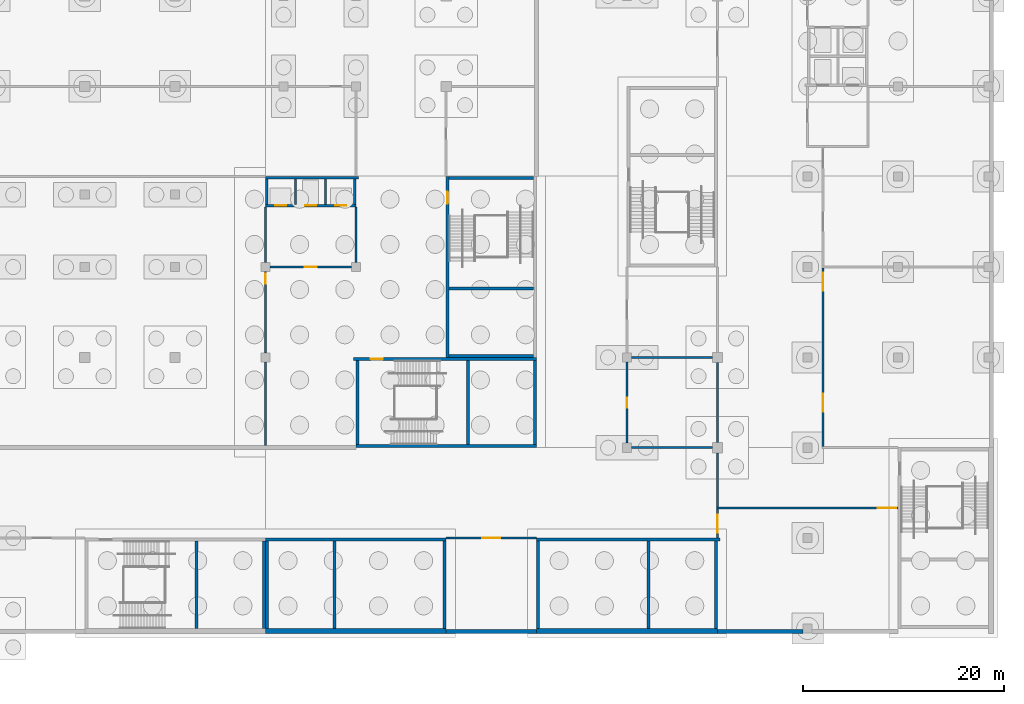
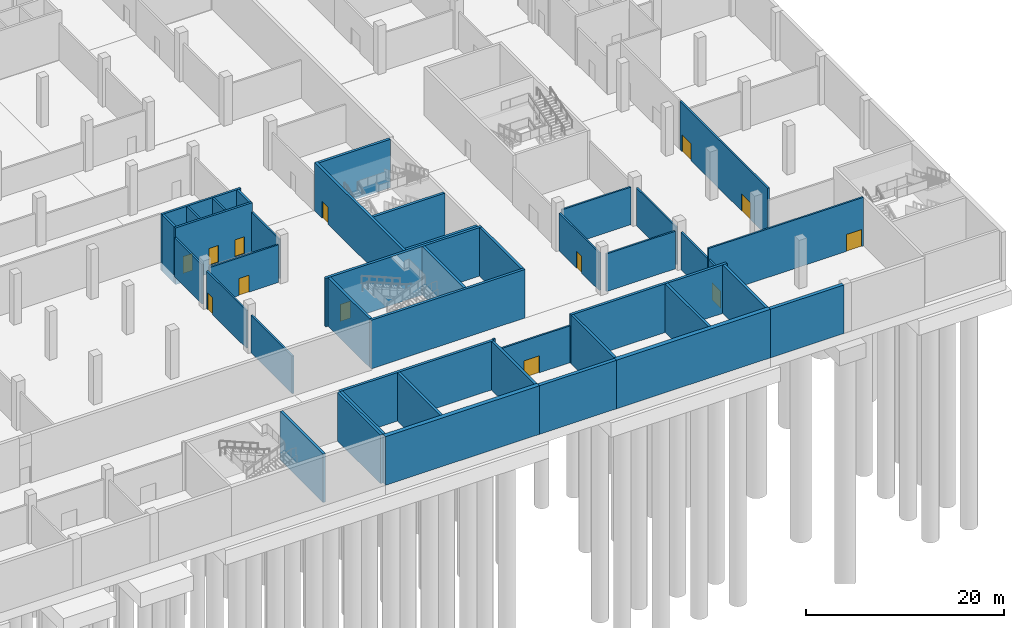
# One storey, part 17 of 42: 44 walls, 13 doors, 13 openings.
"""IFC4 building model written with IfcOpenShell, lengths in metres."""

from ifc_helpers import new_model, si_unit, direction, frame, frame_2d, origin, place, context, subcontext, project, spatial, rectangle, extrude, material, layer, layer_set, type_object, element, fill, save


model = new_model("IFC4")

# Units and contexts
model_context = context("Model", 3, precision=1e-05, world=origin(), true_north=direction((0.0, 1.0)))
body_context = subcontext(model_context, "Body", "Model", "MODEL_VIEW")
ifc_project = project(units=[si_unit("LENGTHUNIT", "METRE"), si_unit("AREAUNIT", "SQUARE_METRE"), si_unit("VOLUMEUNIT", "CUBIC_METRE"), si_unit("PLANEANGLEUNIT", "RADIAN"), si_unit("MASSUNIT", "GRAM", prefix="KILO")], contexts=[model_context])

# Site, building, storey
site_placement = place(None, origin())
site = spatial("IfcSite", under=ifc_project, at=site_placement, CompositionType="ELEMENT")
building_placement = place(site_placement, origin())
building = spatial("IfcBuilding", under=site, at=building_placement, Name="Silverbay Arena", CompositionType="ELEMENT")
storey_placement = place(building_placement, frame((0.0, 0.0, -6.0)))
storey = spatial("IfcBuildingStorey", under=building, at=storey_placement, Name="B1", CompositionType="ELEMENT", Elevation=-6.0)

# Walls
ifc_material_1 = material(Name="Concrete Grade C45", Category="concrete")
ifc_layer_1 = layer(ifc_material_1, 0.39990234375)
ifc_layer_set_1 = layer_set([ifc_layer_1], Name="Concrete Grade C45")
wall_type_1 = type_object("IfcWallType", Name="Basement perimeter wall 400", PredefinedType="SOLIDWALL", material=ifc_layer_set_1)
wall_1_placement = place(storey_placement, frame((180.0, 17.699951171875, 0.0), z_axis=(0.0, 0.0, 1.0), x_axis=(1.0, 0.0, 0.0)))
element("IfcWall", 1, at=wall_1_placement, inside=storey, type_object=wall_type_1, Name="South external wall B1 bay 18", PredefinedType="SOLIDWALL", context=body_context, shape_type="SweptSolid", body=[
    extrude(rectangle(XDim=9.0, YDim=0.39990234375, at=frame_2d((4.5, 0.0))), origin(), (0.0, 0.0, 1.0), 6.0),
])
wall_2_placement = place(storey_placement, frame((207.0, 17.699951171875, 0.0), z_axis=(0.0, 0.0, 1.0), x_axis=(1.0, 0.0, 0.0)))
element("IfcWall", 2, at=wall_2_placement, inside=storey, type_object=wall_type_1, Name="South external wall B1 bay 21", PredefinedType="SOLIDWALL", context=body_context, shape_type="SweptSolid", body=[
    extrude(rectangle(XDim=8.550048828125, YDim=0.39990234375, at=frame_2d((4.27490234375, 0.0))), origin(), (0.0, 0.0, 1.0), 6.0),
])
ifc_material_2 = material(Name="Concrete Grade C45", Category="concrete")
ifc_layer_2 = layer(ifc_material_2, 0.300048828125)
ifc_layer_set_2 = layer_set([ifc_layer_2], Name="Concrete Grade C45")
wall_type_2 = type_object("IfcWallType", Name="Core wall RC 300 EI 240", PredefinedType="SHEAR", material=ifc_layer_set_2)
for number, where, z_axis, x_axis, name in (
    (3, (161.85009765625, 26.699951171875, 0.0), (0.0, 0.0, 1.0), (0.0, -1.0, 0.0), "Core wall ST-S3 B1 end 2"),
    (4, (155.14990234375, 26.699951171875, 0.0), (0.0, 0.0, 1.0), (0.0, -1.0, 0.0), "Core wall ST-S3 B1 stair enclosure"),
):
    element("IfcWall", number, at=place(storey_placement, frame(where, z_axis=z_axis, x_axis=x_axis)), inside=storey, type_object=wall_type_2, Name=name, PredefinedType="SHEAR", context=body_context, shape_type="SweptSolid", body=[
        extrude(rectangle(XDim=8.699951171875, YDim=0.300048828125, at=frame_2d((4.35009765625, 0.0))), origin(), (0.0, 0.0, 1.0), 6.0),
    ])
wall_3_placement = place(storey_placement, frame((180.0, 26.85009765625, 0.0), z_axis=(0.0, 0.0, 1.0), x_axis=(-1.0, 0.0, 0.0)))
element("IfcWall", 5, at=wall_3_placement, inside=storey, type_object=wall_type_2, Name="Core wall ST-S4 B1 door side", PredefinedType="SHEAR", context=body_context, shape_type="SweptSolid", body=[
    extrude(rectangle(XDim=18.0, YDim=0.300048828125, at=frame_2d((9.0, 0.0))), origin(), (0.0, 0.0, 1.0), 6.0),
])
for number, where, z_axis, x_axis, name in (
    (6, (179.85009765625, 26.699951171875, 0.0), (0.0, 0.0, 1.0), (0.0, -1.0, 0.0), "Core wall ST-S4 B1 end 1"),
    (7, (162.14990234375, 26.699951171875, 0.0), (0.0, 0.0, 1.0), (0.0, -1.0, 0.0), "Core wall ST-S4 B1 end 2"),
    (8, (168.85009765625, 26.699951171875, 0.0), (0.0, 0.0, 1.0), (0.0, -1.0, 0.0), "Core wall ST-S4 B1 stair enclosure"),
):
    element("IfcWall", number, at=place(storey_placement, frame(where, z_axis=z_axis, x_axis=x_axis)), inside=storey, type_object=wall_type_2, Name=name, PredefinedType="SHEAR", context=body_context, shape_type="SweptSolid", body=[
        extrude(rectangle(XDim=8.699951171875, YDim=0.300048828125, at=frame_2d((4.35009765625, 0.0))), origin(), (0.0, 0.0, 1.0), 6.0),
    ])
wall_4_placement = place(storey_placement, frame((189.0, 26.85009765625, 0.0), z_axis=(0.0, 0.0, 1.0), x_axis=(1.0, 0.0, 0.0)))
element("IfcWall", 9, at=wall_4_placement, inside=storey, type_object=wall_type_2, Name="Core wall ST-S6 B1 door side", PredefinedType="SHEAR", context=body_context, shape_type="SweptSolid", body=[
    extrude(rectangle(XDim=18.25, YDim=0.300048828125, at=frame_2d((9.125, 0.0))), origin(), (0.0, 0.0, 1.0), 6.0),
])
for number, where, z_axis, x_axis, name in (
    (10, (189.14990234375, 26.699951171875, 0.0), (0.0, 0.0, 1.0), (0.0, -1.0, 0.0), "Core wall ST-S6 B1 end 1"),
    (11, (206.85009765625, 26.699951171875, 0.0), (0.0, 0.0, 1.0), (0.0, -1.0, 0.0), "Core wall ST-S6 B1 end 2"),
    (12, (200.14990234375, 26.699951171875, 0.0), (0.0, 0.0, 1.0), (0.0, -1.0, 0.0), "Core wall ST-S6 B1 stair enclosure"),
):
    element("IfcWall", number, at=place(storey_placement, frame(where, z_axis=z_axis, x_axis=x_axis)), inside=storey, type_object=wall_type_2, Name=name, PredefinedType="SHEAR", context=body_context, shape_type="SweptSolid", body=[
        extrude(rectangle(XDim=8.699951171875, YDim=0.300048828125, at=frame_2d((4.35009765625, 0.0))), origin(), (0.0, 0.0, 1.0), 6.0),
    ])

# Wall, opening, door
wall_5_placement = place(storey_placement, frame((170.75, 44.85009765625, 0.0), z_axis=(0.0, 0.0, 1.0), x_axis=(1.0, 0.0, 0.0)))
wall_5 = element("IfcWall", 13, at=wall_5_placement, inside=storey, type_object=wall_type_2, Name="Core wall ST-SE1 B1 door side", PredefinedType="SHEAR", context=body_context, shape_type="SweptSolid", body=[
    extrude(rectangle(XDim=18.25, YDim=0.300048828125, at=frame_2d((9.125, 0.0))), origin(), (0.0, 0.0, 1.0), 6.0),
])
opening_1_placement = place(wall_5_placement, frame((1.75, 0.0, 0.0)))
opening_1 = element("IfcOpeningElement", 14, at=opening_1_placement, cuts=wall_5, Name="Opening B1-090", PredefinedType="OPENING", context=body_context, shape_type="SweptSolid", body=[
    extrude(rectangle(XDim=1.199951171875, YDim=2.10009765625, at=frame_2d((0.60009765625, 1.050048828125))), frame((0.0, 0.16015625, 0.0), z_axis=(0.0, -1.0, 0.0), x_axis=(1.0, 0.0, 0.0)), (0.0, 0.0, 1.0), 0.320068359375),
])
ifc_material_3 = material(Name="Steel fire door", Category="steel")
door_type_1 = type_object("IfcDoorType", Name="Stair door 1200 x 2100 fire door", OperationType="SINGLE_SWING_LEFT", PredefinedType="DOOR", material=ifc_material_3)
door_1_placement = place(opening_1_placement, frame((1.199951171875, 0.0, 0.0), z_axis=(0.0, 0.0, 1.0), x_axis=(-1.0, 0.0, 0.0)))
door_1 = element("IfcDoor", 15, at=door_1_placement, inside=storey, type_object=door_type_1, Name="Stair door ST-SE1 B1", OperationType="SINGLE_SWING_RIGHT", OverallHeight=2.10009765625, OverallWidth=1.199951171875, PredefinedType="DOOR", context=body_context, shape_type="SweptSolid", body=[
    extrude(rectangle(XDim=1.199951171875, YDim=2.10009765625, at=frame_2d((0.60009765625, 1.050048828125))), frame((0.0, 0.02490234375, 0.0), z_axis=(0.0, -1.0, 0.0), x_axis=(1.0, 0.0, 0.0)), (0.0, 0.0, 1.0), 0.050048828125),
])
fill(opening_1, door_1)

# Walls
wall_6_placement = place(storey_placement, frame((171.0, 36.14990234375, 0.0), z_axis=(0.0, 0.0, 1.0), x_axis=(1.0, 0.0, 0.0)))
element("IfcWall", 16, at=wall_6_placement, inside=storey, type_object=wall_type_2, Name="Core wall ST-SE1 B1 far side", PredefinedType="SHEAR", context=body_context, shape_type="SweptSolid", body=[
    extrude(rectangle(XDim=18.0, YDim=0.300048828125, at=frame_2d((9.0, 0.0))), origin(), (0.0, 0.0, 1.0), 6.0),
])
for number, where, z_axis, x_axis, name in (
    (17, (171.14990234375, 44.699951171875, 0.0), (0.0, 0.0, 1.0), (0.0, -1.0, 0.0), "Core wall ST-SE1 B1 end 1"),
    (18, (188.85009765625, 44.699951171875, 0.0), (0.0, 0.0, 1.0), (0.0, -1.0, 0.0), "Core wall ST-SE1 B1 end 2"),
    (19, (182.14990234375, 44.699951171875, 0.0), (0.0, 0.0, 1.0), (0.0, -1.0, 0.0), "Core wall ST-SE1 B1 stair enclosure"),
):
    element("IfcWall", number, at=place(storey_placement, frame(where, z_axis=z_axis, x_axis=x_axis)), inside=storey, type_object=wall_type_2, Name=name, PredefinedType="SHEAR", context=body_context, shape_type="SweptSolid", body=[
        extrude(rectangle(XDim=8.39990234375, YDim=0.300048828125, at=frame_2d((4.199951171875, 0.0))), origin(), (0.0, 0.0, 1.0), 6.0),
    ])

# Wall, opening, door
wall_7_placement = place(storey_placement, frame((180.14990234375, 63.0, 0.0), z_axis=(0.0, 0.0, 1.0), x_axis=(0.0, -1.0, 0.0)))
wall_7 = element("IfcWall", 20, at=wall_7_placement, inside=storey, type_object=wall_type_2, Name="Core wall ST-SE2 B1 door side", PredefinedType="SHEAR", context=body_context, shape_type="SweptSolid", body=[
    extrude(rectangle(XDim=18.0, YDim=0.300048828125, at=frame_2d((9.0, 0.0))), origin(), (0.0, 0.0, 1.0), 6.0),
])
opening_2_placement = place(wall_7_placement, frame((1.5, 0.0, 0.0)))
opening_2 = element("IfcOpeningElement", 21, at=opening_2_placement, cuts=wall_7, Name="Opening B1-091", PredefinedType="OPENING", context=body_context, shape_type="SweptSolid", body=[
    extrude(rectangle(XDim=1.199951171875, YDim=2.10009765625, at=frame_2d((0.60009765625, 1.050048828125))), frame((0.0, 0.16015625, 0.0), z_axis=(0.0, -1.0, 0.0), x_axis=(1.0, 0.0, 0.0)), (0.0, 0.0, 1.0), 0.320068359375),
])
door_2_placement = place(opening_2_placement, origin())
door_2 = element("IfcDoor", 22, at=door_2_placement, inside=storey, type_object=door_type_1, Name="Stair door ST-SE2 B1", OperationType="SINGLE_SWING_LEFT", OverallHeight=2.10009765625, OverallWidth=1.199951171875, PredefinedType="DOOR", context=body_context, shape_type="SweptSolid", body=[
    extrude(rectangle(XDim=1.199951171875, YDim=2.10009765625, at=frame_2d((0.60009765625, 1.050048828125))), frame((0.0, 0.02490234375, 0.0), z_axis=(0.0, -1.0, 0.0), x_axis=(1.0, 0.0, 0.0)), (0.0, 0.0, 1.0), 0.050048828125),
])
fill(opening_2, door_2)

# Walls
for number, where, z_axis, x_axis, name in (
    (23, (180.300048828125, 62.85009765625, 0.0), (0.0, 0.0, 1.0), (1.0, 0.0, 0.0), "Core wall ST-SE2 B1 end 1"),
    (24, (180.300048828125, 45.14990234375, 0.0), (0.0, 0.0, 1.0), (1.0, 0.0, 0.0), "Core wall ST-SE2 B1 end 2"),
    (25, (180.300048828125, 51.85009765625, 0.0), (0.0, 0.0, 1.0), (1.0, 0.0, 0.0), "Core wall ST-SE2 B1 stair enclosure"),
):
    element("IfcWall", number, at=place(storey_placement, frame(where, z_axis=z_axis, x_axis=x_axis)), inside=storey, type_object=wall_type_2, Name=name, PredefinedType="SHEAR", context=body_context, shape_type="SweptSolid", body=[
        extrude(rectangle(XDim=8.39990234375, YDim=0.300048828125, at=frame_2d((4.199951171875, 0.0))), origin(), (0.0, 0.0, 1.0), 6.0),
    ])
ifc_material_4 = material(Name="Concrete Grade C45", Category="concrete")
ifc_layer_3 = layer(ifc_material_4, 0.5)
ifc_layer_set_3 = layer_set([ifc_layer_3], Name="Concrete Grade C45")
wall_type_3 = type_object("IfcWallType", Name="Core wall RC 500 external EI 240", PredefinedType="SHEAR", material=ifc_layer_set_3)
for number, where, z_axis, x_axis, name in (
    (26, (180.0, 17.75, 0.0), (0.0, 0.0, 1.0), (-1.0, 0.0, 0.0), "Core wall ST-S4 B1 facade side"),
    (27, (189.0, 17.75, 0.0), (0.0, 0.0, 1.0), (1.0, 0.0, 0.0), "Core wall ST-S6 B1 facade side"),
):
    element("IfcWall", number, at=place(storey_placement, frame(where, z_axis=z_axis, x_axis=x_axis)), inside=storey, type_object=wall_type_3, Name=name, PredefinedType="SHEAR", context=body_context, shape_type="SweptSolid", body=[
        extrude(rectangle(XDim=18.0, YDim=0.5, at=frame_2d((9.0, 0.0))), origin(), (0.0, 0.0, 1.0), 6.0),
    ])
ifc_material_5 = material(Name="Concrete Grade C45", Category="concrete")
ifc_layer_4 = layer(ifc_material_5, 0.199951171875)
ifc_layer_set_4 = layer_set([ifc_layer_4], Name="Concrete Grade C45")
wall_type_4 = type_object("IfcWallType", Name="Lift shaft divider RC 200 EI 240", PredefinedType="SHEAR", material=ifc_layer_set_4)
for number, where, z_axis, x_axis, name in (
    (28, (165.0, 60.25, -1.0), (0.0, 0.0, 1.0), (0.0, 1.0, 0.0), "Lift shaft divider LB-SE B1 1"),
    (29, (168.0, 60.25, -1.0), (0.0, 0.0, 1.0), (0.0, 1.0, 0.0), "Lift shaft divider LB-SE B1 2"),
):
    element("IfcWall", number, at=place(storey_placement, frame(where, z_axis=z_axis, x_axis=x_axis)), inside=storey, type_object=wall_type_4, Name=name, PredefinedType="SHEAR", context=body_context, shape_type="SweptSolid", body=[
        extrude(rectangle(XDim=2.5, YDim=0.199951171875, at=frame_2d((1.25, 0.0))), origin(), (0.0, 0.0, 1.0), 7.0),
    ])

# Wall, openings, doors
ifc_material_6 = material(Name="Concrete Grade C45", Category="concrete")
ifc_layer_5 = layer(ifc_material_6, 0.25)
ifc_layer_set_5 = layer_set([ifc_layer_5], Name="Concrete Grade C45")
wall_type_5 = type_object("IfcWallType", Name="Lift shaft wall RC 250 EI 240", PredefinedType="SHEAR", material=ifc_layer_set_5)
wall_8_placement = place(storey_placement, frame((162.0, 60.125, -1.0), z_axis=(0.0, 0.0, 1.0), x_axis=(1.0, 0.0, 0.0)))
wall_8 = element("IfcWall", 30, at=wall_8_placement, inside=storey, type_object=wall_type_5, Name="Lift shaft wall LB-SE B1 landing side", PredefinedType="SHEAR", context=body_context, shape_type="SweptSolid", body=[
    extrude(rectangle(XDim=9.0, YDim=0.25, at=frame_2d((4.5, 0.0))), origin(), (0.0, 0.0, 1.0), 7.0),
])
opening_3_placement = place(wall_8_placement, frame((0.949951171875, 0.0, 1.0)))
opening_3 = element("IfcOpeningElement", 31, at=opening_3_placement, cuts=wall_8, Name="Opening B1-103", PredefinedType="OPENING", context=body_context, shape_type="SweptSolid", body=[
    extrude(rectangle(XDim=1.10009765625, YDim=2.10009765625, at=frame_2d((0.550048828125, 1.050048828125))), frame((0.0, 0.135009765625, 0.0), z_axis=(0.0, -1.0, 0.0), x_axis=(1.0, 0.0, 0.0)), (0.0, 0.0, 1.0), 0.27001953125),
])
opening_4_placement = place(wall_8_placement, frame((3.949951171875, 0.0, 1.0)))
opening_4 = element("IfcOpeningElement", 32, at=opening_4_placement, cuts=wall_8, Name="Opening B1-104", PredefinedType="OPENING", context=body_context, shape_type="SweptSolid", body=[
    extrude(rectangle(XDim=1.10009765625, YDim=2.10009765625, at=frame_2d((0.550048828125, 1.050048828125))), frame((0.0, 0.135009765625, 0.0), z_axis=(0.0, -1.0, 0.0), x_axis=(1.0, 0.0, 0.0)), (0.0, 0.0, 1.0), 0.27001953125),
])
opening_5_placement = place(wall_8_placement, frame((6.949951171875, 0.0, 1.0)))
opening_5 = element("IfcOpeningElement", 33, at=opening_5_placement, cuts=wall_8, Name="Opening B1-105", PredefinedType="OPENING", context=body_context, shape_type="SweptSolid", body=[
    extrude(rectangle(XDim=1.10009765625, YDim=2.10009765625, at=frame_2d((0.550048828125, 1.050048828125))), frame((0.0, 0.135009765625, 0.0), z_axis=(0.0, -1.0, 0.0), x_axis=(1.0, 0.0, 0.0)), (0.0, 0.0, 1.0), 0.27001953125),
])
ifc_material_7 = material(Name="Stainless steel", Category="steel")
door_type_2 = type_object("IfcDoorType", Name="LD1 lift landing door 1100 x 2100", OperationType="DOUBLE_DOOR_SLIDING", PredefinedType="DOOR", material=ifc_material_7)
door_3_placement = place(opening_3_placement, origin())
door_3 = element("IfcDoor", 34, at=door_3_placement, inside=storey, type_object=door_type_2, Name="Lift landing door LF6 B1", OperationType="DOUBLE_DOOR_SLIDING", OverallHeight=2.10009765625, OverallWidth=1.10009765625, PredefinedType="DOOR", context=body_context, shape_type="SweptSolid", body=[
    extrude(rectangle(XDim=1.10009765625, YDim=2.10009765625, at=frame_2d((0.550048828125, 1.050048828125))), frame((0.0, 0.02490234375, 0.0), z_axis=(0.0, -1.0, 0.0), x_axis=(1.0, 0.0, 0.0)), (0.0, 0.0, 1.0), 0.050048828125),
])
fill(opening_3, door_3)
door_4_placement = place(opening_4_placement, origin())
door_4 = element("IfcDoor", 35, at=door_4_placement, inside=storey, type_object=door_type_2, Name="Lift landing door LF7 B1", OperationType="DOUBLE_DOOR_SLIDING", OverallHeight=2.10009765625, OverallWidth=1.10009765625, PredefinedType="DOOR", context=body_context, shape_type="SweptSolid", body=[
    extrude(rectangle(XDim=1.10009765625, YDim=2.10009765625, at=frame_2d((0.550048828125, 1.050048828125))), frame((0.0, 0.02490234375, 0.0), z_axis=(0.0, -1.0, 0.0), x_axis=(1.0, 0.0, 0.0)), (0.0, 0.0, 1.0), 0.050048828125),
])
fill(opening_4, door_4)
door_5_placement = place(opening_5_placement, origin())
door_5 = element("IfcDoor", 36, at=door_5_placement, inside=storey, type_object=door_type_2, Name="Lift landing door LF8 B1", OperationType="DOUBLE_DOOR_SLIDING", OverallHeight=2.10009765625, OverallWidth=1.10009765625, PredefinedType="DOOR", context=body_context, shape_type="SweptSolid", body=[
    extrude(rectangle(XDim=1.10009765625, YDim=2.10009765625, at=frame_2d((0.550048828125, 1.050048828125))), frame((0.0, 0.02490234375, 0.0), z_axis=(0.0, -1.0, 0.0), x_axis=(1.0, 0.0, 0.0)), (0.0, 0.0, 1.0), 0.050048828125),
])
fill(opening_5, door_5)

# Walls
wall_9_placement = place(storey_placement, frame((162.0, 62.875, -1.0), z_axis=(0.0, 0.0, 1.0), x_axis=(1.0, 0.0, 0.0)))
element("IfcWall", 37, at=wall_9_placement, inside=storey, type_object=wall_type_5, Name="Lift shaft wall LB-SE B1 back", PredefinedType="SHEAR", context=body_context, shape_type="SweptSolid", body=[
    extrude(rectangle(XDim=9.25, YDim=0.25, at=frame_2d((4.625, 0.0))), origin(), (0.0, 0.0, 1.0), 7.0),
])
for number, where, z_axis, x_axis, name in (
    (38, (162.125, 60.25, -1.0), (0.0, 0.0, 1.0), (0.0, 1.0, 0.0), "Lift shaft wall LB-SE B1 end"),
    (39, (170.875, 60.25, -1.0), (0.0, 0.0, 1.0), (0.0, 1.0, 0.0), "Lift shaft wall LB-SE B1 end"),
):
    element("IfcWall", number, at=place(storey_placement, frame(where, z_axis=z_axis, x_axis=x_axis)), inside=storey, type_object=wall_type_5, Name=name, PredefinedType="SHEAR", context=body_context, shape_type="SweptSolid", body=[
        extrude(rectangle(XDim=2.5, YDim=0.25, at=frame_2d((1.25, 0.0))), origin(), (0.0, 0.0, 1.0), 7.0),
    ])

# Wall, opening, door
ifc_material_8 = material(Name="Masonry blockwork partition", Category="masonry")
ifc_layer_6 = layer(ifc_material_8, 0.199951171875)
ifc_layer_set_6 = layer_set([ifc_layer_6], Name="Masonry blockwork partition")
wall_type_6 = type_object("IfcWallType", Name="Partition 200 EI 240", PredefinedType="PARTITIONING", material=ifc_layer_set_6)
wall_10_placement = place(storey_placement, frame((180.300048828125, 27.0, 0.0), z_axis=(0.0, 0.0, 1.0), x_axis=(1.0, 0.0, 0.0)))
wall_10 = element("IfcWall", 40, at=wall_10_placement, inside=storey, type_object=wall_type_6, Name="Partition wall", PredefinedType="PARTITIONING", context=body_context, shape_type="SweptSolid", body=[
    extrude(rectangle(XDim=8.699951171875, YDim=0.199951171875, at=frame_2d((4.35009765625, 0.0))), origin(), (0.0, 0.0, 1.0), 4.550048828125),
])
opening_6_placement = place(wall_10_placement, frame((3.300048828125, 0.0, 0.0)))
opening_6 = element("IfcOpeningElement", 41, at=opening_6_placement, cuts=wall_10, Name="Opening B1-005", PredefinedType="OPENING", context=body_context, shape_type="SweptSolid", body=[
    extrude(rectangle(XDim=1.800048828125, YDim=2.10009765625, at=frame_2d((0.89990234375, 1.050048828125))), frame((0.0, 0.10986328125, 0.0), z_axis=(0.0, -1.0, 0.0), x_axis=(1.0, 0.0, 0.0)), (0.0, 0.0, 1.0), 0.219970703125),
])
ifc_material_9 = material(Name="Steel faced timber", Category="steel")
door_type_3 = type_object("IfcDoorType", Name="Double leaf door 1800 x 2100 FD120", OperationType="DOUBLE_DOOR_DOUBLE_SWING", PredefinedType="DOOR", material=ifc_material_9)
door_6_placement = place(opening_6_placement, frame((1.800048828125, 0.0, 0.0), z_axis=(0.0, 0.0, 1.0), x_axis=(-1.0, 0.0, 0.0)))
door_6 = element("IfcDoor", 42, at=door_6_placement, inside=storey, type_object=door_type_3, Name="Door B1-005", OperationType="DOUBLE_DOOR_DOUBLE_SWING", OverallHeight=2.10009765625, OverallWidth=1.800048828125, PredefinedType="DOOR", context=body_context, shape_type="SweptSolid", body=[
    extrude(rectangle(XDim=1.800048828125, YDim=2.10009765625, at=frame_2d((0.89990234375, 1.050048828125))), frame((0.0, 0.02490234375, 0.0), z_axis=(0.0, -1.0, 0.0), x_axis=(1.0, 0.0, 0.0)), (0.0, 0.0, 1.0), 0.050048828125),
])
fill(opening_6, door_6)

wall_11_placement = place(storey_placement, frame((206.89990234375, 30.0, 0.0), z_axis=(0.0, 0.0, 1.0), x_axis=(1.0, 0.0, 0.0)))
wall_11 = element("IfcWall", 43, at=wall_11_placement, inside=storey, type_object=wall_type_6, Name="Partition wall", PredefinedType="PARTITIONING", context=body_context, shape_type="SweptSolid", body=[
    extrude(rectangle(XDim=18.10009765625, YDim=0.199951171875, at=frame_2d((9.050048828125, 0.0))), origin(), (0.0, 0.0, 1.0), 6.0),
])
opening_7_placement = place(wall_11_placement, frame((16.10009765625, 0.0, 0.0)))
opening_7 = element("IfcOpeningElement", 44, at=opening_7_placement, cuts=wall_11, Name="Opening B1-068", PredefinedType="OPENING", context=body_context, shape_type="SweptSolid", body=[
    extrude(rectangle(XDim=1.800048828125, YDim=2.10009765625, at=frame_2d((0.89990234375, 1.050048828125))), frame((0.0, 0.10986328125, 0.0), z_axis=(0.0, -1.0, 0.0), x_axis=(1.0, 0.0, 0.0)), (0.0, 0.0, 1.0), 0.219970703125),
])
ifc_material_10 = material(Name="Steel faced timber", Category="steel")
door_type_4 = type_object("IfcDoorType", Name="Double leaf door 1800 x 2100 FD240", OperationType="DOUBLE_DOOR_DOUBLE_SWING", PredefinedType="DOOR", material=ifc_material_10)
door_7_placement = place(opening_7_placement, frame((1.800048828125, 0.0, 0.0), z_axis=(0.0, 0.0, 1.0), x_axis=(-1.0, 0.0, 0.0)))
door_7 = element("IfcDoor", 45, at=door_7_placement, inside=storey, type_object=door_type_4, Name="Door B1-068", OperationType="DOUBLE_DOOR_DOUBLE_SWING", OverallHeight=2.10009765625, OverallWidth=1.800048828125, PredefinedType="DOOR", context=body_context, shape_type="SweptSolid", body=[
    extrude(rectangle(XDim=1.800048828125, YDim=2.10009765625, at=frame_2d((0.89990234375, 1.050048828125))), frame((0.0, 0.02490234375, 0.0), z_axis=(0.0, -1.0, 0.0), x_axis=(1.0, 0.0, 0.0)), (0.0, 0.0, 1.0), 0.050048828125),
])
fill(opening_7, door_7)

# Walls
for number, where, z_axis, x_axis, name in (
    (46, (198.449951171875, 36.0, 0.0), (0.0, 0.0, 1.0), (1.0, 0.0, 0.0), "Partition wall"),
    (47, (198.449951171875, 45.0, 0.0), (0.0, 0.0, 1.0), (1.0, 0.0, 0.0), "Partition wall"),
):
    element("IfcWall", number, at=place(storey_placement, frame(where, z_axis=z_axis, x_axis=x_axis)), inside=storey, type_object=wall_type_6, Name=name, PredefinedType="PARTITIONING", context=body_context, shape_type="SweptSolid", body=[
        extrude(rectangle(XDim=8.050048828125, YDim=0.199951171875, at=frame_2d((4.02490234375, 0.0))), origin(), (0.0, 0.0, 1.0), 4.64990234375),
    ])

# Wall, opening, door
wall_12_placement = place(storey_placement, frame((162.449951171875, 54.0, 0.0), z_axis=(0.0, 0.0, 1.0), x_axis=(1.0, 0.0, 0.0)))
wall_12 = element("IfcWall", 48, at=wall_12_placement, inside=storey, type_object=wall_type_6, Name="Partition wall", PredefinedType="PARTITIONING", context=body_context, shape_type="SweptSolid", body=[
    extrude(rectangle(XDim=8.10009765625, YDim=0.199951171875, at=frame_2d((4.050048828125, 0.0))), origin(), (0.0, 0.0, 1.0), 4.64990234375),
])
opening_8_placement = place(wall_12_placement, frame((3.449951171875, 0.0, 0.0)))
opening_8 = element("IfcOpeningElement", 49, at=opening_8_placement, cuts=wall_12, Name="Opening B1-038", PredefinedType="OPENING", context=body_context, shape_type="SweptSolid", body=[
    extrude(rectangle(XDim=1.199951171875, YDim=2.10009765625, at=frame_2d((0.60009765625, 1.050048828125))), frame((0.0, 0.10986328125, 0.0), z_axis=(0.0, -1.0, 0.0), x_axis=(1.0, 0.0, 0.0)), (0.0, 0.0, 1.0), 0.219970703125),
])
ifc_material_11 = material(Name="Steel faced timber", Category="steel")
door_type_5 = type_object("IfcDoorType", Name="Single leaf door 1200 x 2100 FD240", OperationType="SINGLE_SWING_LEFT", PredefinedType="DOOR", material=ifc_material_11)
door_8_placement = place(opening_8_placement, frame((1.199951171875, 0.0, 0.0), z_axis=(0.0, 0.0, 1.0), x_axis=(-1.0, 0.0, 0.0)))
door_8 = element("IfcDoor", 50, at=door_8_placement, inside=storey, type_object=door_type_5, Name="Door B1-038", OperationType="SINGLE_SWING_LEFT", OverallHeight=2.10009765625, OverallWidth=1.199951171875, PredefinedType="DOOR", context=body_context, shape_type="SweptSolid", body=[
    extrude(rectangle(XDim=1.199951171875, YDim=2.10009765625, at=frame_2d((0.60009765625, 1.050048828125))), frame((0.0, 0.02490234375, 0.0), z_axis=(0.0, -1.0, 0.0), x_axis=(1.0, 0.0, 0.0)), (0.0, 0.0, 1.0), 0.050048828125),
])
fill(opening_8, door_8)

# Wall
wall_13_placement = place(storey_placement, frame((162.0, 36.199951171875, 0.0), z_axis=(0.0, 0.0, 1.0), x_axis=(0.0, 1.0, 0.0)))
element("IfcWall", 51, at=wall_13_placement, inside=storey, type_object=wall_type_6, Name="Partition wall", PredefinedType="PARTITIONING", context=body_context, shape_type="SweptSolid", body=[
    extrude(rectangle(XDim=8.35009765625, YDim=0.199951171875, at=frame_2d((4.175048828125, 0.0))), origin(), (0.0, 0.0, 1.0), 4.64990234375),
])

# Wall, opening, door
wall_14_placement = place(storey_placement, frame((162.0, 45.449951171875, 0.0), z_axis=(0.0, 0.0, 1.0), x_axis=(0.0, 1.0, 0.0)))
wall_14 = element("IfcWall", 52, at=wall_14_placement, inside=storey, type_object=wall_type_6, Name="Partition wall", PredefinedType="PARTITIONING", context=body_context, shape_type="SweptSolid", body=[
    extrude(rectangle(XDim=8.10009765625, YDim=0.199951171875, at=frame_2d((4.050048828125, 0.0))), origin(), (0.0, 0.0, 1.0), 4.64990234375),
])
opening_9_placement = place(wall_14_placement, frame((6.89990234375, 0.0, 0.0)))
opening_9 = element("IfcOpeningElement", 53, at=opening_9_placement, cuts=wall_14, Name="Opening B1-072", PredefinedType="OPENING", context=body_context, shape_type="SweptSolid", body=[
    extrude(rectangle(XDim=1.0, YDim=2.10009765625, at=frame_2d((0.5, 1.050048828125))), frame((0.0, 0.10986328125, 0.0), z_axis=(0.0, -1.0, 0.0), x_axis=(1.0, 0.0, 0.0)), (0.0, 0.0, 1.0), 0.219970703125),
])
ifc_material_12 = material(Name="Steel faced timber", Category="steel")
door_type_6 = type_object("IfcDoorType", Name="Single leaf door 1000 x 2100 FD240", OperationType="SINGLE_SWING_LEFT", PredefinedType="DOOR", material=ifc_material_12)
door_9_placement = place(opening_9_placement, origin())
door_9 = element("IfcDoor", 54, at=door_9_placement, inside=storey, type_object=door_type_6, Name="Door B1-072", OperationType="SINGLE_SWING_RIGHT", OverallHeight=2.10009765625, OverallWidth=1.0, PredefinedType="DOOR", context=body_context, shape_type="SweptSolid", body=[
    extrude(rectangle(XDim=1.0, YDim=2.10009765625, at=frame_2d((0.5, 1.050048828125))), frame((0.0, 0.02490234375, 0.0), z_axis=(0.0, -1.0, 0.0), x_axis=(1.0, 0.0, 0.0)), (0.0, 0.0, 1.0), 0.050048828125),
])
fill(opening_9, door_9)

# Walls
for number, where, z_axis, x_axis, name in (
    (55, (162.0, 54.449951171875, 0.0), (0.0, 0.0, 1.0), (0.0, 1.0, 0.0), "Partition wall"),
    (56, (171.0, 54.449951171875, 0.0), (0.0, 0.0, 1.0), (0.0, 1.0, 0.0), "Partition wall"),
):
    element("IfcWall", number, at=place(storey_placement, frame(where, z_axis=z_axis, x_axis=x_axis)), inside=storey, type_object=wall_type_6, Name=name, PredefinedType="PARTITIONING", context=body_context, shape_type="SweptSolid", body=[
        extrude(rectangle(XDim=5.550048828125, YDim=0.199951171875, at=frame_2d((2.77490234375, 0.0))), origin(), (0.0, 0.0, 1.0), 4.85009765625),
    ])

# Wall, opening, door
wall_15_placement = place(storey_placement, frame((198.0, 36.449951171875, 0.0), z_axis=(0.0, 0.0, 1.0), x_axis=(0.0, 1.0, 0.0)))
wall_15 = element("IfcWall", 57, at=wall_15_placement, inside=storey, type_object=wall_type_6, Name="Partition wall", PredefinedType="PARTITIONING", context=body_context, shape_type="SweptSolid", body=[
    extrude(rectangle(XDim=8.10009765625, YDim=0.199951171875, at=frame_2d((4.050048828125, 0.0))), origin(), (0.0, 0.0, 1.0), 4.64990234375),
])
opening_10_placement = place(wall_15_placement, frame((3.550048828125, 0.0, 0.0)))
opening_10 = element("IfcOpeningElement", 58, at=opening_10_placement, cuts=wall_15, Name="Opening B1-016", PredefinedType="OPENING", context=body_context, shape_type="SweptSolid", body=[
    extrude(rectangle(XDim=1.0, YDim=2.10009765625, at=frame_2d((0.5, 1.050048828125))), frame((0.0, 0.10986328125, 0.0), z_axis=(0.0, -1.0, 0.0), x_axis=(1.0, 0.0, 0.0)), (0.0, 0.0, 1.0), 0.219970703125),
])
ifc_material_13 = material(Name="Steel faced timber", Category="steel")
door_type_7 = type_object("IfcDoorType", Name="Single leaf door 1000 x 2100 FD30S", OperationType="SINGLE_SWING_LEFT", PredefinedType="DOOR", material=ifc_material_13)
door_10_placement = place(opening_10_placement, frame((1.0, 0.0, 0.0), z_axis=(0.0, 0.0, 1.0), x_axis=(-1.0, 0.0, 0.0)))
door_10 = element("IfcDoor", 59, at=door_10_placement, inside=storey, type_object=door_type_7, Name="Door B1-016", OperationType="SINGLE_SWING_LEFT", OverallHeight=2.10009765625, OverallWidth=1.0, PredefinedType="DOOR", context=body_context, shape_type="SweptSolid", body=[
    extrude(rectangle(XDim=1.0, YDim=2.10009765625, at=frame_2d((0.5, 1.050048828125))), frame((0.0, 0.02490234375, 0.0), z_axis=(0.0, -1.0, 0.0), x_axis=(1.0, 0.0, 0.0)), (0.0, 0.0, 1.0), 0.050048828125),
])
fill(opening_10, door_10)

wall_16_placement = place(storey_placement, frame((207.0, 27.0, 0.0), z_axis=(0.0, 0.0, 1.0), x_axis=(0.0, 1.0, 0.0)))
wall_16 = element("IfcWall", 60, at=wall_16_placement, inside=storey, type_object=wall_type_6, Name="Partition wall", PredefinedType="PARTITIONING", context=body_context, shape_type="SweptSolid", body=[
    extrude(rectangle(XDim=2.89990234375, YDim=0.199951171875, at=frame_2d((1.449951171875, 0.0))), origin(), (0.0, 0.0, 1.0), 4.64990234375),
])
opening_11_placement = place(wall_16_placement, frame((0.550048828125, 0.0, 0.0)))
opening_11 = element("IfcOpeningElement", 61, at=opening_11_placement, cuts=wall_16, Name="Opening B1-035", PredefinedType="OPENING", context=body_context, shape_type="SweptSolid", body=[
    extrude(rectangle(XDim=1.800048828125, YDim=2.10009765625, at=frame_2d((0.89990234375, 1.050048828125))), frame((0.0, 0.10986328125, 0.0), z_axis=(0.0, -1.0, 0.0), x_axis=(1.0, 0.0, 0.0)), (0.0, 0.0, 1.0), 0.219970703125),
])
door_11_placement = place(opening_11_placement, frame((1.800048828125, 0.0, 0.0), z_axis=(0.0, 0.0, 1.0), x_axis=(-1.0, 0.0, 0.0)))
door_11 = element("IfcDoor", 62, at=door_11_placement, inside=storey, type_object=door_type_3, Name="Door B1-035", OperationType="DOUBLE_DOOR_DOUBLE_SWING", OverallHeight=2.10009765625, OverallWidth=1.800048828125, PredefinedType="DOOR", context=body_context, shape_type="SweptSolid", body=[
    extrude(rectangle(XDim=1.800048828125, YDim=2.10009765625, at=frame_2d((0.89990234375, 1.050048828125))), frame((0.0, 0.02490234375, 0.0), z_axis=(0.0, -1.0, 0.0), x_axis=(1.0, 0.0, 0.0)), (0.0, 0.0, 1.0), 0.050048828125),
])
fill(opening_11, door_11)

# Walls
wall_17_placement = place(storey_placement, frame((207.0, 30.10009765625, 0.0), z_axis=(0.0, 0.0, 1.0), x_axis=(0.0, 1.0, 0.0)))
element("IfcWall", 63, at=wall_17_placement, inside=storey, type_object=wall_type_6, Name="Partition wall", PredefinedType="PARTITIONING", context=body_context, shape_type="SweptSolid", body=[
    extrude(rectangle(XDim=5.39990234375, YDim=0.199951171875, at=frame_2d((2.699951171875, 0.0))), origin(), (0.0, 0.0, 1.0), 4.64990234375),
])
wall_18_placement = place(storey_placement, frame((207.0, 36.5, 0.0), z_axis=(0.0, 0.0, 1.0), x_axis=(0.0, 1.0, 0.0)))
element("IfcWall", 64, at=wall_18_placement, inside=storey, type_object=wall_type_6, Name="Partition wall", PredefinedType="PARTITIONING", context=body_context, shape_type="SweptSolid", body=[
    extrude(rectangle(XDim=8.0, YDim=0.199951171875, at=frame_2d((4.0, 0.0))), origin(), (0.0, 0.0, 1.0), 4.64990234375),
])

# Wall, openings, doors
wall_19_placement = place(storey_placement, frame((217.5, 36.10009765625, 0.0), z_axis=(0.0, 0.0, 1.0), x_axis=(0.0, 1.0, 0.0)))
wall_19 = element("IfcWall", 65, at=wall_19_placement, inside=storey, type_object=wall_type_6, Name="Partition wall", PredefinedType="PARTITIONING", context=body_context, shape_type="SweptSolid", body=[
    extrude(rectangle(XDim=17.7998046875, YDim=0.199951171875, at=frame_2d((8.89990234375, 0.0))), origin(), (0.0, 0.0, 1.0), 6.0),
])
opening_12_placement = place(wall_19_placement, frame((3.5, 0.0, 0.0)))
opening_12 = element("IfcOpeningElement", 66, at=opening_12_placement, cuts=wall_19, Name="Opening B1-029", PredefinedType="OPENING", context=body_context, shape_type="SweptSolid", body=[
    extrude(rectangle(XDim=1.800048828125, YDim=2.10009765625, at=frame_2d((0.89990234375, 1.050048828125))), frame((0.0, 0.10986328125, 0.0), z_axis=(0.0, -1.0, 0.0), x_axis=(1.0, 0.0, 0.0)), (0.0, 0.0, 1.0), 0.219970703125),
])
opening_13_placement = place(wall_19_placement, frame((15.548095703125, 0.0, 0.0)))
opening_13 = element("IfcOpeningElement", 67, at=opening_13_placement, cuts=wall_19, Name="Opening B1-064", PredefinedType="OPENING", context=body_context, shape_type="SweptSolid", body=[
    extrude(rectangle(XDim=1.800048828125, YDim=2.10009765625, at=frame_2d((0.89990234375, 1.050048828125))), frame((0.0, 0.10986328125, 0.0), z_axis=(0.0, -1.0, 0.0), x_axis=(1.0, 0.0, 0.0)), (0.0, 0.0, 1.0), 0.219970703125),
])
door_12_placement = place(opening_12_placement, frame((1.800048828125, 0.0, 0.0), z_axis=(0.0, 0.0, 1.0), x_axis=(-1.0, 0.0, 0.0)))
door_12 = element("IfcDoor", 68, at=door_12_placement, inside=storey, type_object=door_type_3, Name="Door B1-029", OperationType="DOUBLE_DOOR_DOUBLE_SWING", OverallHeight=2.10009765625, OverallWidth=1.800048828125, PredefinedType="DOOR", context=body_context, shape_type="SweptSolid", body=[
    extrude(rectangle(XDim=1.800048828125, YDim=2.10009765625, at=frame_2d((0.89990234375, 1.050048828125))), frame((0.0, 0.02490234375, 0.0), z_axis=(0.0, -1.0, 0.0), x_axis=(1.0, 0.0, 0.0)), (0.0, 0.0, 1.0), 0.050048828125),
])
fill(opening_12, door_12)
door_13_placement = place(opening_13_placement, frame((1.800048828125, 0.0, 0.0), z_axis=(0.0, 0.0, 1.0), x_axis=(-1.0, 0.0, 0.0)))
door_13 = element("IfcDoor", 69, at=door_13_placement, inside=storey, type_object=door_type_3, Name="Door B1-064", OperationType="DOUBLE_DOOR_DOUBLE_SWING", OverallHeight=2.10009765625, OverallWidth=1.800048828125, PredefinedType="DOOR", context=body_context, shape_type="SweptSolid", body=[
    extrude(rectangle(XDim=1.800048828125, YDim=2.10009765625, at=frame_2d((0.89990234375, 1.050048828125))), frame((0.0, 0.02490234375, 0.0), z_axis=(0.0, -1.0, 0.0), x_axis=(1.0, 0.0, 0.0)), (0.0, 0.0, 1.0), 0.050048828125),
])
fill(opening_13, door_13)

# Wall
wall_20_placement = place(storey_placement, frame((180.0, 27.0, 0.0), z_axis=(0.0, 0.0, 1.0), x_axis=(1.0, 0.0, 0.0)))
element("IfcWall", 70, at=wall_20_placement, inside=storey, type_object=wall_type_6, Name="Partition wall", PredefinedType="PARTITIONING", context=body_context, shape_type="SweptSolid", body=[
    extrude(rectangle(XDim=0.300048828125, YDim=0.199951171875, at=frame_2d((0.14990234375, 0.0))), origin(), (0.0, 0.0, 1.0), 6.0),
])

save(model, "model.ifc")
